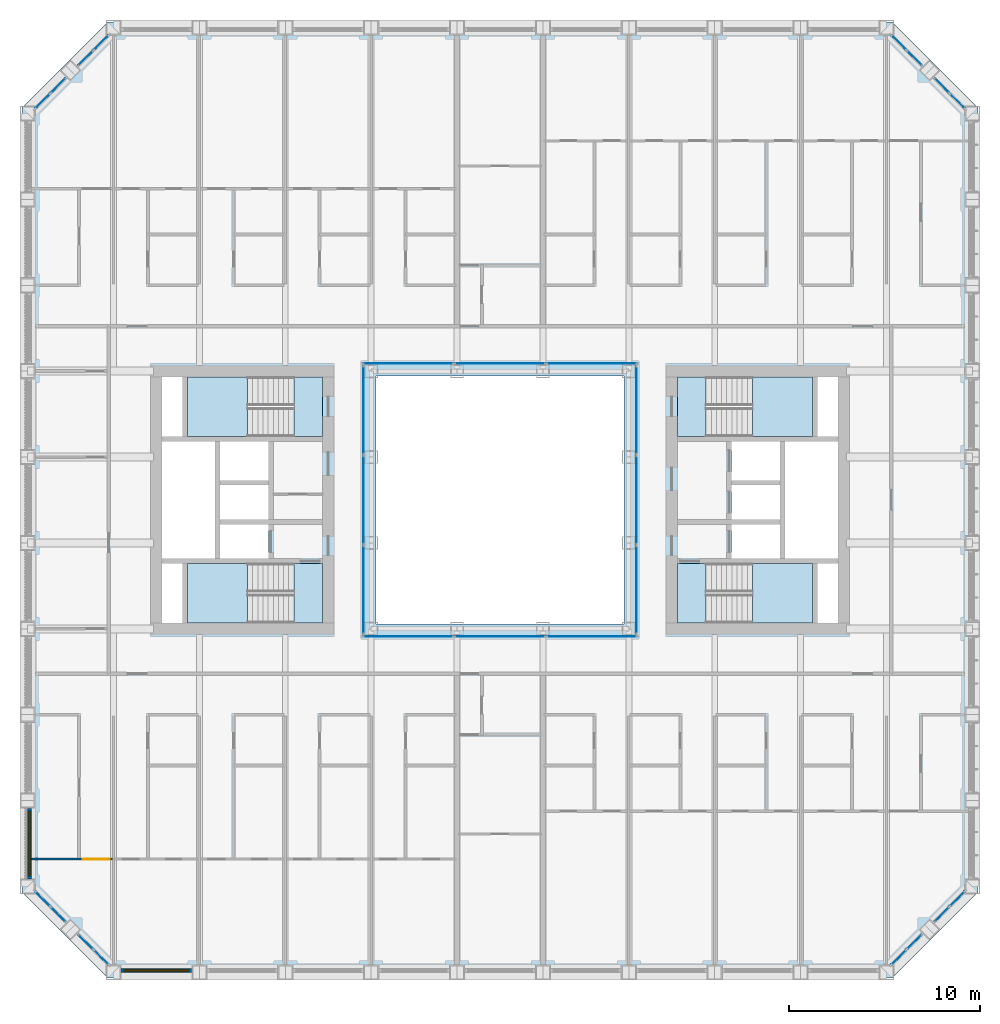
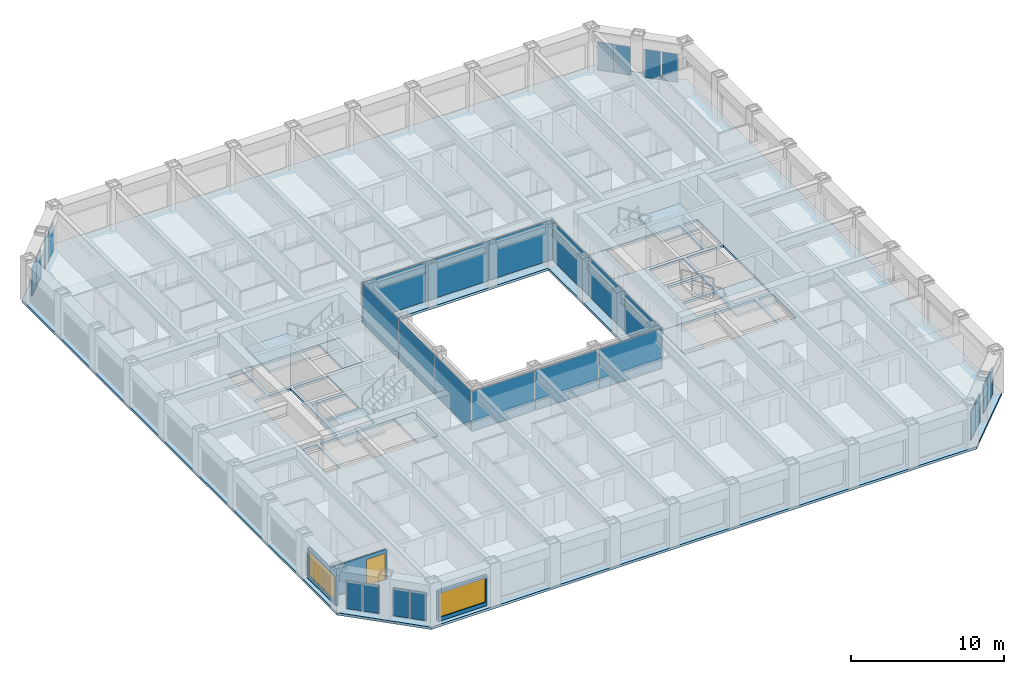
# One storey, part 8 of 21: 28 plates, 9 slabs, 3 walls, 2 windows, 1 door, 3 openings, 16 elements without a shape of their own.
"""IFC4 building model written with IfcOpenShell, lengths in metres."""

import ifcopenshell
import ifcopenshell.guid

model = None  # the IFC model being written
_history = None  # IfcOwnerHistory: only IFC2X3 demands one
_inside = {}  # id of a spatial element -> (the spatial element, [elements in it])
_under = {}  # id of a project, library or spatial element -> (it, [spatial elements below it])
_declared = {}  # id of a project -> (the project, [libraries it declares])
_typed = {}  # id of a type object -> (the type object, [elements of that type])
_made_of = {}  # id of a material, layer set ... -> (it, [elements and type objects made of it])


def new_model(schema):
    """Start an empty IFC model of exactly this schema.

    Asked for "IFC4X3", IfcOpenShell would pick the latest addendum, in which some entities
    have other attributes; the version numbers below select the first issue.
    IFC2X3 requires an IfcOwnerHistory on every rooted entity: one is made here for all.
    """
    global model, _history
    if schema == "IFC4X3":
        model = ifcopenshell.file(schema_version=(4, 3, 0, 0))
    else:
        model = ifcopenshell.file(schema=schema)
    _inside.clear()
    _under.clear()
    _declared.clear()
    _typed.clear()
    _made_of.clear()
    _history = None
    if model.schema == "IFC2X3":
        org = make("IfcOrganization", Name="unknown")
        user = make(
            "IfcPersonAndOrganization",
            ThePerson=make("IfcPerson", FamilyName="unknown"),
            TheOrganization=org,
        )
        app = make(
            "IfcApplication",
            ApplicationDeveloper=org,
            Version="unknown",
            ApplicationFullName="unknown",
            ApplicationIdentifier="unknown",
        )
        _history = make(
            "IfcOwnerHistory",
            OwningUser=user,
            OwningApplication=app,
            ChangeAction="ADDED",
            CreationDate=0,
        )
    return model


def make(cls, **values):
    """One entity of the class cls with the attributes given. An attribute that is None is left unset."""
    return model.create_entity(
        cls, **{name: value for name, value in values.items() if value is not None}
    )


def rooted(cls, **values):
    """An entity with a GlobalId (a new one), such as an element, a storey or a relation."""
    return make(cls, GlobalId=ifcopenshell.guid.new(), OwnerHistory=_history, **values)


def si_unit(unit_type, name, prefix=None):
    """IfcSIUnit, for example si_unit("LENGTHUNIT", "METRE", prefix="MILLI")."""
    return make("IfcSIUnit", UnitType=unit_type, Prefix=prefix, Name=name)


def assignment(units):
    """IfcUnitAssignment: the units of a project."""
    return None if units is None else make("IfcUnitAssignment", Units=units)


def point(xyz):
    """IfcCartesianPoint."""
    return None if xyz is None else make("IfcCartesianPoint", Coordinates=xyz)


def direction(xyz):
    """IfcDirection."""
    return None if xyz is None else make("IfcDirection", DirectionRatios=xyz)


def frame(location, z_axis=None, x_axis=None):
    """IfcAxis2Placement3D, a coordinate frame: its origin and axes. An axis left out is left unset."""
    return make(
        "IfcAxis2Placement3D",
        Location=point(location),
        Axis=direction(z_axis),
        RefDirection=direction(x_axis),
    )


def frame_2d(location, x_axis=None):
    """IfcAxis2Placement2D, a coordinate frame in the plane: its origin and x axis."""
    return make(
        "IfcAxis2Placement2D", Location=point(location), RefDirection=direction(x_axis)
    )


def origin():
    """The frame at (0, 0, 0) with its axes left unset."""
    return frame((0.0, 0.0, 0.0))


def origin_2d():
    """The frame at (0, 0) in the plane with its x axis left unset."""
    return frame_2d((0.0, 0.0))


def place(relative_to, where):
    """IfcLocalPlacement: puts the frame where relative to a parent placement (None: the world)."""
    return make(
        "IfcLocalPlacement", PlacementRelTo=relative_to, RelativePlacement=where
    )


def context(
    kind, dimensions, precision=None, world=None, true_north=None, identifier=None
):
    """IfcGeometricRepresentationContext, for example the 3D "Model" context."""
    return make(
        "IfcGeometricRepresentationContext",
        ContextIdentifier=identifier,
        ContextType=kind,
        CoordinateSpaceDimension=dimensions,
        Precision=precision,
        WorldCoordinateSystem=world,
        TrueNorth=true_north,
    )


def subcontext(parent, identifier, kind, view, scale=None):
    """IfcGeometricRepresentationSubContext, for example "Body" below "Model"."""
    return make(
        "IfcGeometricRepresentationSubContext",
        ContextIdentifier=identifier,
        ContextType=kind,
        ParentContext=parent,
        TargetScale=scale,
        TargetView=view,
    )


def project(units=None, contexts=None):
    """IfcProject with its units and contexts."""
    return rooted(
        "IfcProject",
        Name="project",
        RepresentationContexts=contexts,
        UnitsInContext=assignment(units),
    )


def spatial(cls, under=None, at=None, **own):
    """A site, building, storey or space (cls), placed at a placement, below another one or the project."""
    s = rooted(cls, ObjectPlacement=at, **own)
    if under is not None:
        _under.setdefault(under.id(), (under, []))[1].append(s)
    return s


def polyline(points):
    """IfcPolyline through the points."""
    return make("IfcPolyline", Points=[point(p) for p in points])


def profile(cls, at=None, kind="AREA", **sizes):
    """A parametric profile (cls). Its sizes go by their IFC names, for example OverallWidth=200.0."""
    return make(cls, ProfileType=kind, Position=at, **sizes)


def rectangle(**sizes):
    """IfcRectangleProfileDef."""
    return profile("IfcRectangleProfileDef", **sizes)


def outline(outer, holes=None, kind="AREA"):
    """IfcArbitraryClosedProfileDef: a profile drawn as a closed curve; with holes, ...WithVoids."""
    if holes is None:
        return make("IfcArbitraryClosedProfileDef", ProfileType=kind, OuterCurve=outer)
    return make(
        "IfcArbitraryProfileDefWithVoids",
        ProfileType=kind,
        OuterCurve=outer,
        InnerCurves=holes,
    )


def extrude(swept, where, along, depth):
    """IfcExtrudedAreaSolid: the profile swept, set in the frame where, extruded along a direction by depth."""
    return make(
        "IfcExtrudedAreaSolid",
        SweptArea=swept,
        Position=where,
        ExtrudedDirection=direction(along),
        Depth=depth,
    )


def shape(context_of_items, identifier, shape_type, items):
    """IfcShapeRepresentation: the items that make up one representation, for example the "Body"."""
    return make(
        "IfcShapeRepresentation",
        ContextOfItems=context_of_items,
        RepresentationIdentifier=identifier,
        RepresentationType=shape_type,
        Items=items,
    )


def material(Name=None, Category=None):
    """IfcMaterial."""
    return make("IfcMaterial", Name=Name, Category=Category)


def layer(
    of_material, thickness, ventilated=None, Name=None, Category=None, Priority=None
):
    """IfcMaterialLayer: one layer of a wall or slab, of a material (None: an air gap)."""
    return make(
        "IfcMaterialLayer",
        Material=of_material,
        LayerThickness=thickness,
        IsVentilated=ventilated,
        Name=Name,
        Category=Category,
        Priority=Priority,
    )


def layer_set(layers, Name=None):
    """IfcMaterialLayerSet."""
    return make("IfcMaterialLayerSet", MaterialLayers=layers, LayerSetName=Name)


def made_of(thing, what):
    """Note that an element or type object is made of a material, layer set ...; save() writes the relation."""
    if what is not None:
        _made_of.setdefault(what.id(), (what, []))[1].append(thing)
    return thing


def type_object(cls, material=None, **own):
    """A type object (cls), such as IfcWallType, which elements share."""
    return made_of(rooted(cls, **own), material)


def element(
    cls,
    number,
    at=None,
    inside=None,
    cuts=None,
    type_object=None,
    material=None,
    context=None,
    identifier="Body",
    shape_type=None,
    held_by="IfcProductDefinitionShape",
    body=None,
    shapes=None,
    **own,
):
    """One element of the class cls, such as IfcWall. Its Tag is "e" and its number.

    at: its placement. inside: the storey or other place that contains it. cuts: it is an
    opening in that element (IfcRelVoidsElement). A single representation is given by context,
    identifier, shape_type and body (its items); several are given by shapes. held_by: the class
    of the entity that holds the representations. save() writes the other relations.
    """
    e = rooted(cls, Tag="e%d" % number, ObjectPlacement=at, **own)
    if body is not None:
        shapes = [shape(context, identifier, shape_type, body)]
    if shapes is not None:
        e.Representation = make(held_by, Representations=shapes)
    if inside is not None:
        _inside.setdefault(inside.id(), (inside, []))[1].append(e)
    if cuts is not None:
        rooted(
            "IfcRelVoidsElement", RelatingBuildingElement=cuts, RelatedOpeningElement=e
        )
    if type_object is not None:
        _typed.setdefault(type_object.id(), (type_object, []))[1].append(e)
    return made_of(e, material)


def fill(opening, filler):
    """IfcRelFillsElement: the door or window that sits in an opening."""
    return rooted(
        "IfcRelFillsElement",
        RelatingOpeningElement=opening,
        RelatedBuildingElement=filler,
    )


def aggregate(whole, parts):
    """IfcRelAggregates: a whole, such as a stair, and the parts it consists of."""
    return rooted("IfcRelAggregates", RelatingObject=whole, RelatedObjects=parts)


def save(model, path):
    """Write the relations noted so far, then the file.

    IfcRelAggregates (storeys below a building ...), IfcRelContainedInSpatialStructure (elements
    in a storey), IfcRelDefinesByType, IfcRelAssociatesMaterial and IfcRelDeclares: one each for
    every whole, place, type object, material and project.
    """
    for whole, parts in _under.values():
        aggregate(whole, parts)
    for where, things in _inside.values():
        rooted(
            "IfcRelContainedInSpatialStructure",
            RelatedElements=things,
            RelatingStructure=where,
        )
    for kind, things in _typed.values():
        rooted("IfcRelDefinesByType", RelatedObjects=things, RelatingType=kind)
    for what, things in _made_of.values():
        rooted("IfcRelAssociatesMaterial", RelatedObjects=things, RelatingMaterial=what)
    for by, libraries in _declared.values():
        rooted("IfcRelDeclares", RelatingContext=by, RelatedDefinitions=libraries)
    model.write(path)


model = new_model("IFC4")

# Units and contexts
model_context = context("Model", 3, precision=1e-05, world=origin(), true_north=direction((0.0, 1.0)))
body_context = subcontext(model_context, "Body", "Model", "MODEL_VIEW")
ifc_project = project(units=[si_unit("LENGTHUNIT", "METRE"), si_unit("AREAUNIT", "SQUARE_METRE"), si_unit("VOLUMEUNIT", "CUBIC_METRE"), si_unit("PLANEANGLEUNIT", "RADIAN"), si_unit("MASSUNIT", "GRAM", prefix="KILO")], contexts=[model_context])

# Site, building, storey
site_placement = place(None, origin())
site = spatial("IfcSite", under=ifc_project, at=site_placement, CompositionType="ELEMENT")
building_placement = place(site_placement, origin())
building = spatial("IfcBuilding", under=site, at=building_placement, Name="Msasa Ring Tower", CompositionType="ELEMENT")
storey_placement = place(building_placement, frame((0.0, 0.0, 100.0)))
storey = spatial("IfcBuildingStorey", under=building, at=storey_placement, Name="L26", CompositionType="ELEMENT", Elevation=100.0)

# Curtain wall, plates
ifc_material_1 = material(Name="Aluminium curtain wall with clear glass", Category="aluminium")
curtain_wall_type_1 = type_object("IfcCurtainWallType", Name="CW-C CHAMFER CORNER CURTAIN WALL", PredefinedType="NOTDEFINED", material=ifc_material_1)
curtain_wall_1_placement = place(storey_placement, origin())
curtain_wall_1 = element("IfcCurtainWall", 1, at=curtain_wall_1_placement, inside=storey, type_object=curtain_wall_type_1, Name="Chamfer corner curtain wall SE L26", PredefinedType="NOTDEFINED")
ifc_material_2 = material(Name="Clear laminated insulating glass unit", Category="glass")
ifc_layer_1 = layer(ifc_material_2, 0.031982421875)
ifc_layer_set_1 = layer_set([ifc_layer_1], Name="CW-C GLASS PANEL 32")
plate_type_1 = type_object("IfcPlateType", Name="CW-C GLASS PANEL 32", PredefinedType="CURTAIN_PANEL", material=ifc_layer_set_1)
plate_1_placement = place(storey_placement, frame((20.896484375, -23.962158203125, 0.06494140625), z_axis=(0.0, 0.0, 1.0), x_axis=(0.707106781187, 0.707106781187, 0.0)))
plate_1 = element("IfcPlate", 2, at=plate_1_placement, type_object=plate_type_1, Name="CW-C panel 1.1", PredefinedType="CURTAIN_PANEL", context=body_context, shape_type="SweptSolid", body=[
    extrude(rectangle(XDim=1.08837890625, YDim=0.031982421875, at=origin_2d()), origin(), (0.0, 0.0, 1.0), 2.2490234375),
])
plate_2_placement = place(storey_placement, frame((21.712158203125, -23.146484375, 0.06494140625), z_axis=(0.0, 0.0, 1.0), x_axis=(0.707106781187, 0.707106781187, 0.0)))
plate_2 = element("IfcPlate", 3, at=plate_2_placement, type_object=plate_type_1, Name="CW-C panel 2.1", PredefinedType="CURTAIN_PANEL", context=body_context, shape_type="SweptSolid", body=[
    extrude(rectangle(XDim=1.08837890625, YDim=0.031982421875, at=origin_2d()), origin(), (0.0, 0.0, 1.0), 2.2490234375),
])
aggregate(curtain_wall_1, [plate_1, plate_2])

curtain_wall_2_placement = place(storey_placement, origin())
curtain_wall_2 = element("IfcCurtainWall", 4, at=curtain_wall_2_placement, inside=storey, type_object=curtain_wall_type_1, Name="Chamfer corner curtain wall SE L26", PredefinedType="NOTDEFINED")
plate_3_placement = place(storey_placement, frame((23.146484375, -21.712158203125, 0.06494140625), z_axis=(0.0, 0.0, 1.0), x_axis=(0.707106781187, 0.707106781187, 0.0)))
plate_3 = element("IfcPlate", 5, at=plate_3_placement, type_object=plate_type_1, Name="CW-C panel 1.1", PredefinedType="CURTAIN_PANEL", context=body_context, shape_type="SweptSolid", body=[
    extrude(rectangle(XDim=1.08837890625, YDim=0.031982421875, at=origin_2d()), origin(), (0.0, 0.0, 1.0), 2.2490234375),
])
plate_4_placement = place(storey_placement, frame((23.962158203125, -20.896484375, 0.06494140625), z_axis=(0.0, 0.0, 1.0), x_axis=(0.707106781187, 0.707106781187, 0.0)))
plate_4 = element("IfcPlate", 6, at=plate_4_placement, type_object=plate_type_1, Name="CW-C panel 2.1", PredefinedType="CURTAIN_PANEL", context=body_context, shape_type="SweptSolid", body=[
    extrude(rectangle(XDim=1.08837890625, YDim=0.031982421875, at=origin_2d()), origin(), (0.0, 0.0, 1.0), 2.2490234375),
])
aggregate(curtain_wall_2, [plate_3, plate_4])

curtain_wall_3_placement = place(storey_placement, origin())
curtain_wall_3 = element("IfcCurtainWall", 7, at=curtain_wall_3_placement, inside=storey, type_object=curtain_wall_type_1, Name="Chamfer corner curtain wall NE L26", PredefinedType="NOTDEFINED")
plate_5_placement = place(storey_placement, frame((21.712158203125, 23.146484375, 0.06494140625), z_axis=(0.0, 0.0, 1.0), x_axis=(-0.707106781187, 0.707106781187, 0.0)))
plate_5 = element("IfcPlate", 8, at=plate_5_placement, type_object=plate_type_1, Name="CW-C panel 1.1", PredefinedType="CURTAIN_PANEL", context=body_context, shape_type="SweptSolid", body=[
    extrude(rectangle(XDim=1.08837890625, YDim=0.031982421875, at=origin_2d()), origin(), (0.0, 0.0, 1.0), 2.2490234375),
])
plate_6_placement = place(storey_placement, frame((20.896484375, 23.962158203125, 0.06494140625), z_axis=(0.0, 0.0, 1.0), x_axis=(-0.707106781187, 0.707106781187, 0.0)))
plate_6 = element("IfcPlate", 9, at=plate_6_placement, type_object=plate_type_1, Name="CW-C panel 2.1", PredefinedType="CURTAIN_PANEL", context=body_context, shape_type="SweptSolid", body=[
    extrude(rectangle(XDim=1.08837890625, YDim=0.031982421875, at=origin_2d()), origin(), (0.0, 0.0, 1.0), 2.2490234375),
])
aggregate(curtain_wall_3, [plate_5, plate_6])

curtain_wall_4_placement = place(storey_placement, origin())
curtain_wall_4 = element("IfcCurtainWall", 10, at=curtain_wall_4_placement, inside=storey, type_object=curtain_wall_type_1, Name="Chamfer corner curtain wall NE L26", PredefinedType="NOTDEFINED")
plate_7_placement = place(storey_placement, frame((23.962158203125, 20.896484375, 0.06494140625), z_axis=(0.0, 0.0, 1.0), x_axis=(-0.707106781187, 0.707106781187, 0.0)))
plate_7 = element("IfcPlate", 11, at=plate_7_placement, type_object=plate_type_1, Name="CW-C panel 1.1", PredefinedType="CURTAIN_PANEL", context=body_context, shape_type="SweptSolid", body=[
    extrude(rectangle(XDim=1.08837890625, YDim=0.031982421875, at=origin_2d()), origin(), (0.0, 0.0, 1.0), 2.2490234375),
])
plate_8_placement = place(storey_placement, frame((23.146484375, 21.712158203125, 0.06494140625), z_axis=(0.0, 0.0, 1.0), x_axis=(-0.707106781187, 0.707106781187, 0.0)))
plate_8 = element("IfcPlate", 12, at=plate_8_placement, type_object=plate_type_1, Name="CW-C panel 2.1", PredefinedType="CURTAIN_PANEL", context=body_context, shape_type="SweptSolid", body=[
    extrude(rectangle(XDim=1.08837890625, YDim=0.031982421875, at=origin_2d()), origin(), (0.0, 0.0, 1.0), 2.2490234375),
])
aggregate(curtain_wall_4, [plate_7, plate_8])

curtain_wall_5_placement = place(storey_placement, origin())
curtain_wall_5 = element("IfcCurtainWall", 13, at=curtain_wall_5_placement, inside=storey, type_object=curtain_wall_type_1, Name="Chamfer corner curtain wall NW L26", PredefinedType="NOTDEFINED")
plate_9_placement = place(storey_placement, frame((-23.146484375, 21.712158203125, 0.06494140625), z_axis=(0.0, 0.0, 1.0), x_axis=(-0.707106781187, -0.707106781187, 0.0)))
plate_9 = element("IfcPlate", 14, at=plate_9_placement, type_object=plate_type_1, Name="CW-C panel 1.1", PredefinedType="CURTAIN_PANEL", context=body_context, shape_type="SweptSolid", body=[
    extrude(rectangle(XDim=1.08837890625, YDim=0.031982421875, at=origin_2d()), origin(), (0.0, 0.0, 1.0), 2.2490234375),
])
plate_10_placement = place(storey_placement, frame((-23.962158203125, 20.896484375, 0.06494140625), z_axis=(0.0, 0.0, 1.0), x_axis=(-0.707106781187, -0.707106781187, 0.0)))
plate_10 = element("IfcPlate", 15, at=plate_10_placement, type_object=plate_type_1, Name="CW-C panel 2.1", PredefinedType="CURTAIN_PANEL", context=body_context, shape_type="SweptSolid", body=[
    extrude(rectangle(XDim=1.08837890625, YDim=0.031982421875, at=origin_2d()), origin(), (0.0, 0.0, 1.0), 2.2490234375),
])
aggregate(curtain_wall_5, [plate_9, plate_10])

curtain_wall_6_placement = place(storey_placement, origin())
curtain_wall_6 = element("IfcCurtainWall", 16, at=curtain_wall_6_placement, inside=storey, type_object=curtain_wall_type_1, Name="Chamfer corner curtain wall NW L26", PredefinedType="NOTDEFINED")
plate_11_placement = place(storey_placement, frame((-20.896484375, 23.962158203125, 0.06494140625), z_axis=(0.0, 0.0, 1.0), x_axis=(-0.707106781187, -0.707106781187, 0.0)))
plate_11 = element("IfcPlate", 17, at=plate_11_placement, type_object=plate_type_1, Name="CW-C panel 1.1", PredefinedType="CURTAIN_PANEL", context=body_context, shape_type="SweptSolid", body=[
    extrude(rectangle(XDim=1.08837890625, YDim=0.031982421875, at=origin_2d()), origin(), (0.0, 0.0, 1.0), 2.2490234375),
])
plate_12_placement = place(storey_placement, frame((-21.712158203125, 23.146484375, 0.06494140625), z_axis=(0.0, 0.0, 1.0), x_axis=(-0.707106781187, -0.707106781187, 0.0)))
plate_12 = element("IfcPlate", 18, at=plate_12_placement, type_object=plate_type_1, Name="CW-C panel 2.1", PredefinedType="CURTAIN_PANEL", context=body_context, shape_type="SweptSolid", body=[
    extrude(rectangle(XDim=1.08837890625, YDim=0.031982421875, at=origin_2d()), origin(), (0.0, 0.0, 1.0), 2.2490234375),
])
aggregate(curtain_wall_6, [plate_11, plate_12])

curtain_wall_7_placement = place(storey_placement, origin())
curtain_wall_7 = element("IfcCurtainWall", 19, at=curtain_wall_7_placement, inside=storey, type_object=curtain_wall_type_1, Name="Chamfer corner curtain wall SW L26", PredefinedType="NOTDEFINED")
plate_13_placement = place(storey_placement, frame((-23.962158203125, -20.896484375, 0.06494140625), z_axis=(0.0, 0.0, 1.0), x_axis=(0.707106781187, -0.707106781187, 0.0)))
plate_13 = element("IfcPlate", 20, at=plate_13_placement, type_object=plate_type_1, Name="CW-C panel 1.1", PredefinedType="CURTAIN_PANEL", context=body_context, shape_type="SweptSolid", body=[
    extrude(rectangle(XDim=1.08837890625, YDim=0.031982421875, at=origin_2d()), origin(), (0.0, 0.0, 1.0), 2.2490234375),
])
plate_14_placement = place(storey_placement, frame((-23.146484375, -21.712158203125, 0.06494140625), z_axis=(0.0, 0.0, 1.0), x_axis=(0.707106781187, -0.707106781187, 0.0)))
plate_14 = element("IfcPlate", 21, at=plate_14_placement, type_object=plate_type_1, Name="CW-C panel 2.1", PredefinedType="CURTAIN_PANEL", context=body_context, shape_type="SweptSolid", body=[
    extrude(rectangle(XDim=1.08837890625, YDim=0.031982421875, at=origin_2d()), origin(), (0.0, 0.0, 1.0), 2.2490234375),
])
aggregate(curtain_wall_7, [plate_13, plate_14])

curtain_wall_8_placement = place(storey_placement, origin())
curtain_wall_8 = element("IfcCurtainWall", 22, at=curtain_wall_8_placement, inside=storey, type_object=curtain_wall_type_1, Name="Chamfer corner curtain wall SW L26", PredefinedType="NOTDEFINED")
plate_15_placement = place(storey_placement, frame((-21.712158203125, -23.146484375, 0.06494140625), z_axis=(0.0, 0.0, 1.0), x_axis=(0.707106781187, -0.707106781187, 0.0)))
plate_15 = element("IfcPlate", 23, at=plate_15_placement, type_object=plate_type_1, Name="CW-C panel 1.1", PredefinedType="CURTAIN_PANEL", context=body_context, shape_type="SweptSolid", body=[
    extrude(rectangle(XDim=1.08837890625, YDim=0.031982421875, at=origin_2d()), origin(), (0.0, 0.0, 1.0), 2.2490234375),
])
plate_16_placement = place(storey_placement, frame((-20.896484375, -23.962158203125, 0.06494140625), z_axis=(0.0, 0.0, 1.0), x_axis=(0.707106781187, -0.707106781187, 0.0)))
plate_16 = element("IfcPlate", 24, at=plate_16_placement, type_object=plate_type_1, Name="CW-C panel 2.1", PredefinedType="CURTAIN_PANEL", context=body_context, shape_type="SweptSolid", body=[
    extrude(rectangle(XDim=1.08837890625, YDim=0.031982421875, at=origin_2d()), origin(), (0.0, 0.0, 1.0), 2.2490234375),
])
aggregate(curtain_wall_8, [plate_15, plate_16])

ifc_material_3 = material(Name="Aluminium curtain wall with clear glass", Category="aluminium")
curtain_wall_type_2 = type_object("IfcCurtainWallType", Name="CW-W LIGHT WELL CURTAIN WALL", PredefinedType="NOTDEFINED", material=ifc_material_3)
curtain_wall_9_placement = place(storey_placement, origin())
curtain_wall_9 = element("IfcCurtainWall", 25, at=curtain_wall_9_placement, inside=storey, type_object=curtain_wall_type_2, Name="Light well curtain wall N L26", PredefinedType="NOTDEFINED")
ifc_material_4 = material(Name="Clear laminated insulating glass unit", Category="glass")
ifc_layer_2 = layer(ifc_material_4, 0.028076171875)
ifc_layer_set_2 = layer_set([ifc_layer_2], Name="CW-W GLASS PANEL 28")
plate_type_2 = type_object("IfcPlateType", Name="CW-W GLASS PANEL 28", PredefinedType="CURTAIN_PANEL", material=ifc_layer_set_2)
plate_17_placement = place(storey_placement, frame((-4.804931640625, 7.14990234375, 0.06005859375), z_axis=(0.0, 0.0, 1.0), x_axis=(1.0, 0.0, 0.0)))
plate_17 = element("IfcPlate", 26, at=plate_17_placement, type_object=plate_type_2, Name="CW-W panel 1.1", PredefinedType="CURTAIN_PANEL", context=body_context, shape_type="SweptSolid", body=[
    extrude(rectangle(XDim=4.72998046875, YDim=0.028076171875, at=origin_2d()), origin(), (0.0, 0.0, 1.0), 3.179931640625),
])
plate_18_placement = place(storey_placement, frame((0.0, 7.14990234375, 0.06005859375), z_axis=(0.0, 0.0, 1.0), x_axis=(1.0, 0.0, 0.0)))
plate_18 = element("IfcPlate", 27, at=plate_18_placement, type_object=plate_type_2, Name="CW-W panel 2.1", PredefinedType="CURTAIN_PANEL", context=body_context, shape_type="SweptSolid", body=[
    extrude(rectangle(XDim=4.760009765625, YDim=0.028076171875, at=origin_2d()), origin(), (0.0, 0.0, 1.0), 3.179931640625),
])
plate_19_placement = place(storey_placement, frame((4.804931640625, 7.14990234375, 0.06005859375), z_axis=(0.0, 0.0, 1.0), x_axis=(1.0, 0.0, 0.0)))
plate_19 = element("IfcPlate", 28, at=plate_19_placement, type_object=plate_type_2, Name="CW-W panel 3.1", PredefinedType="CURTAIN_PANEL", context=body_context, shape_type="SweptSolid", body=[
    extrude(rectangle(XDim=4.72998046875, YDim=0.028076171875, at=origin_2d()), origin(), (0.0, 0.0, 1.0), 3.179931640625),
])
aggregate(curtain_wall_9, [plate_17, plate_18, plate_19])

curtain_wall_10_placement = place(storey_placement, origin())
curtain_wall_10 = element("IfcCurtainWall", 29, at=curtain_wall_10_placement, inside=storey, type_object=curtain_wall_type_2, Name="Light well curtain wall S L26", PredefinedType="NOTDEFINED")
plate_20_placement = place(storey_placement, frame((-4.804931640625, -7.14990234375, 0.06005859375), z_axis=(0.0, 0.0, 1.0), x_axis=(1.0, 0.0, 0.0)))
plate_20 = element("IfcPlate", 30, at=plate_20_placement, type_object=plate_type_2, Name="CW-W panel 1.1", PredefinedType="CURTAIN_PANEL", context=body_context, shape_type="SweptSolid", body=[
    extrude(rectangle(XDim=4.72998046875, YDim=0.028076171875, at=origin_2d()), origin(), (0.0, 0.0, 1.0), 3.179931640625),
])
plate_21_placement = place(storey_placement, frame((0.0, -7.14990234375, 0.06005859375), z_axis=(0.0, 0.0, 1.0), x_axis=(1.0, 0.0, 0.0)))
plate_21 = element("IfcPlate", 31, at=plate_21_placement, type_object=plate_type_2, Name="CW-W panel 2.1", PredefinedType="CURTAIN_PANEL", context=body_context, shape_type="SweptSolid", body=[
    extrude(rectangle(XDim=4.760009765625, YDim=0.028076171875, at=origin_2d()), origin(), (0.0, 0.0, 1.0), 3.179931640625),
])
plate_22_placement = place(storey_placement, frame((4.804931640625, -7.14990234375, 0.06005859375), z_axis=(0.0, 0.0, 1.0), x_axis=(1.0, 0.0, 0.0)))
plate_22 = element("IfcPlate", 32, at=plate_22_placement, type_object=plate_type_2, Name="CW-W panel 3.1", PredefinedType="CURTAIN_PANEL", context=body_context, shape_type="SweptSolid", body=[
    extrude(rectangle(XDim=4.72998046875, YDim=0.028076171875, at=origin_2d()), origin(), (0.0, 0.0, 1.0), 3.179931640625),
])
aggregate(curtain_wall_10, [plate_20, plate_21, plate_22])

curtain_wall_11_placement = place(storey_placement, origin())
curtain_wall_11 = element("IfcCurtainWall", 33, at=curtain_wall_11_placement, inside=storey, type_object=curtain_wall_type_2, Name="Light well curtain wall E L26", PredefinedType="NOTDEFINED")
plate_23_placement = place(storey_placement, frame((7.14990234375, -4.6982421875, 0.06005859375), z_axis=(0.0, 0.0, 1.0), x_axis=(0.0, 1.0, 0.0)))
plate_23 = element("IfcPlate", 34, at=plate_23_placement, type_object=plate_type_2, Name="CW-W panel 1.1", PredefinedType="CURTAIN_PANEL", context=body_context, shape_type="SweptSolid", body=[
    extrude(rectangle(XDim=4.623291015625, YDim=0.028076171875, at=origin_2d()), origin(), (0.0, 0.0, 1.0), 3.179931640625),
])
plate_24_placement = place(storey_placement, frame((7.14990234375, 0.0, 0.06005859375), z_axis=(0.0, 0.0, 1.0), x_axis=(0.0, 1.0, 0.0)))
plate_24 = element("IfcPlate", 35, at=plate_24_placement, type_object=plate_type_2, Name="CW-W panel 2.1", PredefinedType="CURTAIN_PANEL", context=body_context, shape_type="SweptSolid", body=[
    extrude(rectangle(XDim=4.6533203125, YDim=0.028076171875, at=origin_2d()), origin(), (0.0, 0.0, 1.0), 3.179931640625),
])
plate_25_placement = place(storey_placement, frame((7.14990234375, 4.6982421875, 0.06005859375), z_axis=(0.0, 0.0, 1.0), x_axis=(0.0, 1.0, 0.0)))
plate_25 = element("IfcPlate", 36, at=plate_25_placement, type_object=plate_type_2, Name="CW-W panel 3.1", PredefinedType="CURTAIN_PANEL", context=body_context, shape_type="SweptSolid", body=[
    extrude(rectangle(XDim=4.623291015625, YDim=0.028076171875, at=origin_2d()), origin(), (0.0, 0.0, 1.0), 3.179931640625),
])
aggregate(curtain_wall_11, [plate_23, plate_24, plate_25])

curtain_wall_12_placement = place(storey_placement, origin())
curtain_wall_12 = element("IfcCurtainWall", 37, at=curtain_wall_12_placement, inside=storey, type_object=curtain_wall_type_2, Name="Light well curtain wall W L26", PredefinedType="NOTDEFINED")
plate_26_placement = place(storey_placement, frame((-7.14990234375, -4.6982421875, 0.06005859375), z_axis=(0.0, 0.0, 1.0), x_axis=(0.0, 1.0, 0.0)))
plate_26 = element("IfcPlate", 38, at=plate_26_placement, type_object=plate_type_2, Name="CW-W panel 1.1", PredefinedType="CURTAIN_PANEL", context=body_context, shape_type="SweptSolid", body=[
    extrude(rectangle(XDim=4.623291015625, YDim=0.028076171875, at=origin_2d()), origin(), (0.0, 0.0, 1.0), 3.179931640625),
])
plate_27_placement = place(storey_placement, frame((-7.14990234375, 0.0, 0.06005859375), z_axis=(0.0, 0.0, 1.0), x_axis=(0.0, 1.0, 0.0)))
plate_27 = element("IfcPlate", 39, at=plate_27_placement, type_object=plate_type_2, Name="CW-W panel 2.1", PredefinedType="CURTAIN_PANEL", context=body_context, shape_type="SweptSolid", body=[
    extrude(rectangle(XDim=4.6533203125, YDim=0.028076171875, at=origin_2d()), origin(), (0.0, 0.0, 1.0), 3.179931640625),
])
plate_28_placement = place(storey_placement, frame((-7.14990234375, 4.6982421875, 0.06005859375), z_axis=(0.0, 0.0, 1.0), x_axis=(0.0, 1.0, 0.0)))
plate_28 = element("IfcPlate", 40, at=plate_28_placement, type_object=plate_type_2, Name="CW-W panel 3.1", PredefinedType="CURTAIN_PANEL", context=body_context, shape_type="SweptSolid", body=[
    extrude(rectangle(XDim=4.623291015625, YDim=0.028076171875, at=origin_2d()), origin(), (0.0, 0.0, 1.0), 3.179931640625),
])
aggregate(curtain_wall_12, [plate_26, plate_27, plate_28])

# Stair, slabs
ifc_material_5 = material(Name="Concrete C40/50", Category="concrete")
stair_type = type_object("IfcStairType", Name="STC CORE STAIR 20 RISERS 175", PredefinedType="HALF_TURN_STAIR", material=ifc_material_5)
stair_1_placement = place(storey_placement, origin())
stair_1 = element("IfcStair", 41, at=stair_1_placement, inside=storey, type_object=stair_type, Name="Core stair SEA L26", PredefinedType="HALF_TURN_STAIR")
ifc_material_6 = material(Name="Concrete C40/50", Category="concrete")
ifc_layer_3 = layer(ifc_material_6, 0.199951171875)
ifc_layer_set_3 = layer_set([ifc_layer_3], Name="LD1 CORE STAIR LANDING 200")
slab_type_1 = type_object("IfcSlabType", Name="LD1 CORE STAIR LANDING 200", PredefinedType="LANDING", material=ifc_layer_set_3)
slab_1_placement = place(storey_placement, frame((0.0, 0.0, -0.199951171875)))
slab_1 = element("IfcSlab", 42, at=slab_1_placement, type_object=slab_type_1, Name="SEA landing 1", PredefinedType="LANDING", context=body_context, shape_type="SweptSolid", body=[
    extrude(outline(polyline([(9.300048828125, -6.449951171875), (10.800048828125, -6.449951171875), (10.800048828125, -3.324951171875), (9.300048828125, -3.324951171875), (9.300048828125, -6.449951171875)])), origin(), (0.0, 0.0, 1.0), 0.199951171875),
])
slab_2_placement = place(storey_placement, frame((0.0, 0.0, 1.550048828125)))
slab_2 = element("IfcSlab", 43, at=slab_2_placement, type_object=slab_type_1, Name="SEA landing 2", PredefinedType="LANDING", context=body_context, shape_type="SweptSolid", body=[
    extrude(outline(polyline([(13.22998046875, -6.449951171875), (16.375, -6.449951171875), (16.375, -3.324951171875), (13.22998046875, -3.324951171875), (13.22998046875, -6.449951171875)])), origin(), (0.0, 0.0, 1.0), 0.199951171875),
])
aggregate(stair_1, [slab_1, slab_2])

stair_2_placement = place(storey_placement, origin())
stair_2 = element("IfcStair", 44, at=stair_2_placement, inside=storey, type_object=stair_type, Name="Core stair SEB L26", PredefinedType="HALF_TURN_STAIR")
slab_3_placement = place(storey_placement, frame((0.0, 0.0, -0.199951171875)))
slab_3 = element("IfcSlab", 45, at=slab_3_placement, type_object=slab_type_1, Name="SEB landing 1", PredefinedType="LANDING", context=body_context, shape_type="SweptSolid", body=[
    extrude(outline(polyline([(9.300048828125, 3.324951171875), (10.800048828125, 3.324951171875), (10.800048828125, 6.449951171875), (9.300048828125, 6.449951171875), (9.300048828125, 3.324951171875)])), origin(), (0.0, 0.0, 1.0), 0.199951171875),
])
slab_4_placement = place(storey_placement, frame((0.0, 0.0, 1.550048828125)))
slab_4 = element("IfcSlab", 46, at=slab_4_placement, type_object=slab_type_1, Name="SEB landing 2", PredefinedType="LANDING", context=body_context, shape_type="SweptSolid", body=[
    extrude(outline(polyline([(13.22998046875, 3.324951171875), (16.375, 3.324951171875), (16.375, 6.449951171875), (13.22998046875, 6.449951171875), (13.22998046875, 3.324951171875)])), origin(), (0.0, 0.0, 1.0), 0.199951171875),
])
aggregate(stair_2, [slab_3, slab_4])

stair_3_placement = place(storey_placement, origin())
stair_3 = element("IfcStair", 47, at=stair_3_placement, inside=storey, type_object=stair_type, Name="Core stair SWA L26", PredefinedType="HALF_TURN_STAIR")
slab_5_placement = place(storey_placement, frame((0.0, 0.0, -0.199951171875)))
slab_5 = element("IfcSlab", 48, at=slab_5_placement, type_object=slab_type_1, Name="SWA landing 1", PredefinedType="LANDING", context=body_context, shape_type="SweptSolid", body=[
    extrude(outline(polyline([(-10.800048828125, -6.449951171875), (-9.300048828125, -6.449951171875), (-9.300048828125, -3.324951171875), (-10.800048828125, -3.324951171875), (-10.800048828125, -6.449951171875)])), origin(), (0.0, 0.0, 1.0), 0.199951171875),
])
slab_6_placement = place(storey_placement, frame((0.0, 0.0, 1.550048828125)))
slab_6 = element("IfcSlab", 49, at=slab_6_placement, type_object=slab_type_1, Name="SWA landing 2", PredefinedType="LANDING", context=body_context, shape_type="SweptSolid", body=[
    extrude(outline(polyline([(-16.375, -6.449951171875), (-13.22998046875, -6.449951171875), (-13.22998046875, -3.324951171875), (-16.375, -3.324951171875), (-16.375, -6.449951171875)])), origin(), (0.0, 0.0, 1.0), 0.199951171875),
])
aggregate(stair_3, [slab_5, slab_6])

stair_4_placement = place(storey_placement, origin())
stair_4 = element("IfcStair", 50, at=stair_4_placement, inside=storey, type_object=stair_type, Name="Core stair SWB L26", PredefinedType="HALF_TURN_STAIR")
slab_7_placement = place(storey_placement, frame((0.0, 0.0, -0.199951171875)))
slab_7 = element("IfcSlab", 51, at=slab_7_placement, type_object=slab_type_1, Name="SWB landing 1", PredefinedType="LANDING", context=body_context, shape_type="SweptSolid", body=[
    extrude(outline(polyline([(-10.800048828125, 3.324951171875), (-9.300048828125, 3.324951171875), (-9.300048828125, 6.449951171875), (-10.800048828125, 6.449951171875), (-10.800048828125, 3.324951171875)])), origin(), (0.0, 0.0, 1.0), 0.199951171875),
])
slab_8_placement = place(storey_placement, frame((0.0, 0.0, 1.550048828125)))
slab_8 = element("IfcSlab", 52, at=slab_8_placement, type_object=slab_type_1, Name="SWB landing 2", PredefinedType="LANDING", context=body_context, shape_type="SweptSolid", body=[
    extrude(outline(polyline([(-16.375, 3.324951171875), (-13.22998046875, 3.324951171875), (-13.22998046875, 6.449951171875), (-16.375, 6.449951171875), (-16.375, 3.324951171875)])), origin(), (0.0, 0.0, 1.0), 0.199951171875),
])
aggregate(stair_4, [slab_7, slab_8])

# Slab
ifc_material_7 = material(Name="Concrete C40/50", Category="concrete")
ifc_layer_4 = layer(ifc_material_7, 0.199951171875)
ifc_layer_set_4 = layer_set([ifc_layer_4], Name="S3 RESIDENCE FLOOR 200")
slab_type_2 = type_object("IfcSlabType", Name="S3 RESIDENCE FLOOR 200", PredefinedType="FLOOR", material=ifc_layer_set_4)
slab_9_placement = place(storey_placement, frame((0.0, 0.0, -0.199951171875)))
element("IfcSlab", 53, at=slab_9_placement, inside=storey, type_object=slab_type_2, Name="Floor slab L26", PredefinedType="FLOOR", context=body_context, shape_type="SweptSolid", body=[
    extrude(outline(polyline([(-20.550048828125, -25.050048828125), (20.550048828125, -25.050048828125), (25.050048828125, -20.550048828125), (25.050048828125, 20.550048828125), (20.550048828125, 25.050048828125), (-20.550048828125, 25.050048828125), (-25.050048828125, 20.550048828125), (-25.050048828125, -20.550048828125), (-20.550048828125, -25.050048828125)]), holes=[polyline([(-6.5, -6.5), (6.5, -6.5), (6.5, 6.5), (-6.5, 6.5), (-6.5, -6.5)]), polyline([(9.300048828125, -6.449951171875), (16.375, -6.449951171875), (16.375, -3.324951171875), (9.300048828125, -3.324951171875), (9.300048828125, -6.449951171875)]), polyline([(9.300048828125, 3.324951171875), (16.375, 3.324951171875), (16.375, 6.449951171875), (9.300048828125, 6.449951171875), (9.300048828125, 3.324951171875)]), polyline([(12.125, -3.074951171875), (14.675048828125, -3.074951171875), (14.675048828125, -1.27490234375), (12.125, -1.27490234375), (12.125, -3.074951171875)]), polyline([(12.125, -1.02490234375), (14.675048828125, -1.02490234375), (14.675048828125, 0.77490234375), (12.125, 0.77490234375), (12.125, -1.02490234375)]), polyline([(12.125, 1.02490234375), (14.675048828125, 1.02490234375), (14.675048828125, 3.074951171875), (12.125, 3.074951171875), (12.125, 1.02490234375)]), polyline([(16.625, -6.449951171875), (17.699951171875, -6.449951171875), (17.699951171875, -3.324951171875), (16.625, -3.324951171875), (16.625, -6.449951171875)]), polyline([(16.625, 3.324951171875), (17.699951171875, 3.324951171875), (17.699951171875, 6.449951171875), (16.625, 6.449951171875), (16.625, 3.324951171875)]), polyline([(14.925048828125, -3.074951171875), (17.699951171875, -3.074951171875), (17.699951171875, 3.074951171875), (14.925048828125, 3.074951171875), (14.925048828125, -3.074951171875)]), polyline([(-16.375, -6.449951171875), (-9.300048828125, -6.449951171875), (-9.300048828125, -3.324951171875), (-16.375, -3.324951171875), (-16.375, -6.449951171875)]), polyline([(-16.375, 3.324951171875), (-9.300048828125, 3.324951171875), (-9.300048828125, 6.449951171875), (-16.375, 6.449951171875), (-16.375, 3.324951171875)]), polyline([(-14.675048828125, -3.074951171875), (-12.125, -3.074951171875), (-12.125, -1.27490234375), (-14.675048828125, -1.27490234375), (-14.675048828125, -3.074951171875)]), polyline([(-14.675048828125, -1.02490234375), (-12.125, -1.02490234375), (-12.125, 0.77490234375), (-14.675048828125, 0.77490234375), (-14.675048828125, -1.02490234375)]), polyline([(-14.675048828125, 1.02490234375), (-12.125, 1.02490234375), (-12.125, 3.074951171875), (-14.675048828125, 3.074951171875), (-14.675048828125, 1.02490234375)]), polyline([(-17.699951171875, -6.449951171875), (-16.625, -6.449951171875), (-16.625, -3.324951171875), (-17.699951171875, -3.324951171875), (-17.699951171875, -6.449951171875)]), polyline([(-17.699951171875, 3.324951171875), (-16.625, 3.324951171875), (-16.625, 6.449951171875), (-17.699951171875, 6.449951171875), (-17.699951171875, 3.324951171875)]), polyline([(-17.699951171875, -3.074951171875), (-14.925048828125, -3.074951171875), (-14.925048828125, 3.074951171875), (-17.699951171875, 3.074951171875), (-17.699951171875, -3.074951171875)])]), origin(), (0.0, 0.0, 1.0), 0.199951171875),
])

# Wall, opening, window
ifc_material_8 = material(Name="Terracotta rainscreen on blockwork", Category="masonry")
ifc_layer_5 = layer(ifc_material_8, 0.199951171875)
ifc_layer_set_5 = layer_set([ifc_layer_5], Name="FW1 TERRACOTTA-LINED INFILL BAY WALL 200")
wall_type_1 = type_object("IfcWallType", Name="FW1 TERRACOTTA-LINED INFILL BAY WALL 200", PredefinedType="SOLIDWALL", material=ifc_layer_set_5)
wall_1_placement = place(storey_placement, frame((-19.844970703125, -24.64990234375, 0.0), z_axis=(0.0, 0.0, 1.0), x_axis=(1.0, 0.0, 0.0)))
wall_1 = element("IfcWall", 54, at=wall_1_placement, inside=storey, type_object=wall_type_1, Name="Infill bay wall S L26 00", PredefinedType="SOLIDWALL", context=body_context, shape_type="SweptSolid", body=[
    extrude(rectangle(XDim=3.68994140625, YDim=0.199951171875, at=frame_2d((1.844970703125, 0.0))), origin(), (0.0, 0.0, 1.0), 2.37890625),
])
opening_1_placement = place(wall_1_placement, frame((0.14501953125, 0.0, 0.300048828125)))
opening_1 = element("IfcOpeningElement", 55, at=opening_1_placement, cuts=wall_1, Name="Opening WN1", PredefinedType="OPENING", context=body_context, shape_type="SweptSolid", body=[
    extrude(rectangle(XDim=3.39990234375, YDim=1.928955078125, at=frame_2d((1.699951171875, 0.96435546875))), frame((0.0, 0.10986328125, 0.0), z_axis=(0.0, -1.0, 0.0), x_axis=(1.0, 0.0, 0.0)), (0.0, 0.0, 1.0), 0.219970703125),
])
ifc_material_9 = material(Name="Aluminium frame with clear glass", Category="aluminium")
window_type = type_object("IfcWindowType", Name="WN1 RESIDENCE WINDOW 3400x1929", PartitioningType="SINGLE_PANEL", PredefinedType="WINDOW", material=ifc_material_9)
window_1_placement = place(opening_1_placement, origin())
window_1 = element("IfcWindow", 56, at=window_1_placement, inside=storey, type_object=window_type, Name="Window S L26 00", OverallHeight=1.928955078125, OverallWidth=3.39990234375, PartitioningType="SINGLE_PANEL", PredefinedType="WINDOW", context=body_context, shape_type="SweptSolid", body=[
    extrude(rectangle(XDim=3.39990234375, YDim=1.928955078125, at=frame_2d((1.699951171875, 0.96435546875))), frame((0.0, 0.030029296875, 0.0), z_axis=(0.0, -1.0, 0.0), x_axis=(1.0, 0.0, 0.0)), (0.0, 0.0, 1.0), 0.06005859375),
])
fill(opening_1, window_1)

wall_2_placement = place(storey_placement, frame((-24.64990234375, -19.844970703125, 0.0), z_axis=(0.0, 0.0, 1.0), x_axis=(0.0, 1.0, 0.0)))
wall_2 = element("IfcWall", 57, at=wall_2_placement, inside=storey, type_object=wall_type_1, Name="Infill bay wall W L26 33", PredefinedType="SOLIDWALL", context=body_context, shape_type="SweptSolid", body=[
    extrude(rectangle(XDim=3.68994140625, YDim=0.199951171875, at=frame_2d((1.844970703125, 0.0))), origin(), (0.0, 0.0, 1.0), 2.37890625),
])
opening_2_placement = place(wall_2_placement, frame((0.14501953125, 0.0, 0.300048828125)))
opening_2 = element("IfcOpeningElement", 58, at=opening_2_placement, cuts=wall_2, Name="Opening WN1", PredefinedType="OPENING", context=body_context, shape_type="SweptSolid", body=[
    extrude(rectangle(XDim=3.39990234375, YDim=1.928955078125, at=frame_2d((1.699951171875, 0.96435546875))), frame((0.0, 0.10986328125, 0.0), z_axis=(0.0, -1.0, 0.0), x_axis=(1.0, 0.0, 0.0)), (0.0, 0.0, 1.0), 0.219970703125),
])
window_2_placement = place(opening_2_placement, origin())
window_2 = element("IfcWindow", 59, at=window_2_placement, inside=storey, type_object=window_type, Name="Window W L26 33", OverallHeight=1.928955078125, OverallWidth=3.39990234375, PartitioningType="SINGLE_PANEL", PredefinedType="WINDOW", context=body_context, shape_type="SweptSolid", body=[
    extrude(rectangle(XDim=3.39990234375, YDim=1.928955078125, at=frame_2d((1.699951171875, 0.96435546875))), frame((0.0, 0.030029296875, 0.0), z_axis=(0.0, -1.0, 0.0), x_axis=(1.0, 0.0, 0.0)), (0.0, 0.0, 1.0), 0.06005859375),
])
fill(opening_2, window_2)

# Wall, opening, door
ifc_material_10 = material(Name="Two layers of acoustic board each face on steel studs, mineral wool", Category="steel")
ifc_layer_6 = layer(ifc_material_10, 0.125)
ifc_layer_set_6 = layer_set([ifc_layer_6], Name="PT6 ACOUSTIC DOUBLE-BOARD PARTITION 125")
wall_type_2 = type_object("IfcWallType", Name="PT6 ACOUSTIC DOUBLE-BOARD PARTITION 125", PredefinedType="PARTITIONING", material=ifc_layer_set_6)
wall_3_placement = place(storey_placement, frame((-24.550048828125, -18.8125, 0.0), z_axis=(0.0, 0.0, 1.0), x_axis=(1.0, 0.0, 0.0)))
wall_3 = element("IfcWall", 60, at=wall_3_placement, inside=storey, type_object=wall_type_2, Name="Partition L26-US00SY0", PredefinedType="PARTITIONING", context=body_context, shape_type="SweptSolid", body=[
    extrude(rectangle(XDim=4.237548828125, YDim=0.125, at=frame_2d((2.11865234375, 0.0))), origin(), (0.0, 0.0, 1.0), 2.373291015625),
])
opening_3_placement = place(wall_3_placement, frame((2.699951171875, 0.0, 0.0)))
opening_3 = element("IfcOpeningElement", 61, at=opening_3_placement, cuts=wall_3, Name="Opening RH-074", PredefinedType="OPENING", context=body_context, shape_type="SweptSolid", body=[
    extrude(rectangle(XDim=1.39990234375, YDim=2.10009765625, at=frame_2d((0.699951171875, 1.050048828125))), frame((0.0, 0.072509765625, 0.0), z_axis=(0.0, -1.0, 0.0), x_axis=(1.0, 0.0, 0.0)), (0.0, 0.0, 1.0), 0.14501953125),
])
ifc_material_11 = material(Name="Timber door leaf in a steel frame", Category="steel")
door_type = type_object("IfcDoorType", Name="D15 LIVING ROOM PAIR OF GLAZED DOORS 1400x2100", OperationType="SINGLE_SWING_LEFT", PredefinedType="DOOR", material=ifc_material_11)
door_placement = place(opening_3_placement, origin())
door = element("IfcDoor", 62, at=door_placement, inside=storey, type_object=door_type, Name="Door L26-US00L", OperationType="SINGLE_SWING_RIGHT", OverallHeight=2.10009765625, OverallWidth=1.39990234375, PredefinedType="DOOR", context=body_context, shape_type="SweptSolid", body=[
    extrude(rectangle(XDim=1.39990234375, YDim=2.10009765625, at=frame_2d((0.699951171875, 1.050048828125))), frame((0.0, 0.02490234375, 0.0), z_axis=(0.0, -1.0, 0.0), x_axis=(1.0, 0.0, 0.0)), (0.0, 0.0, 1.0), 0.050048828125),
])
fill(opening_3, door)

save(model, "model.ifc")
